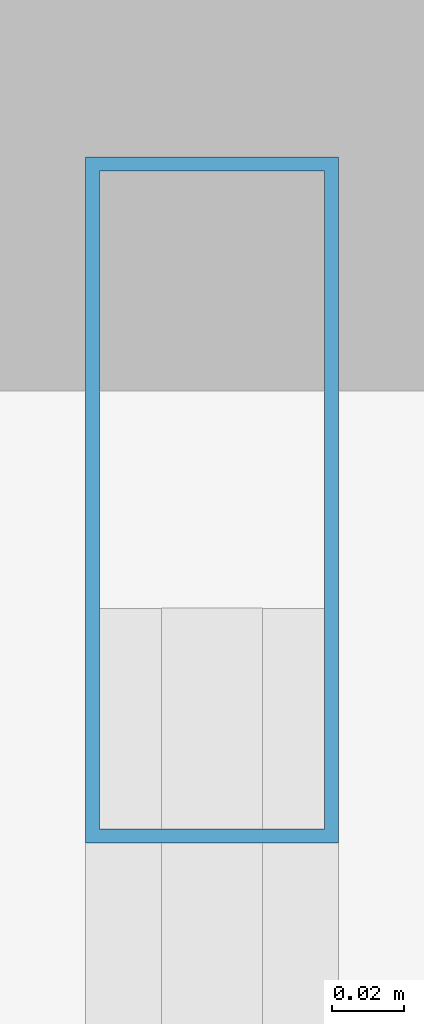
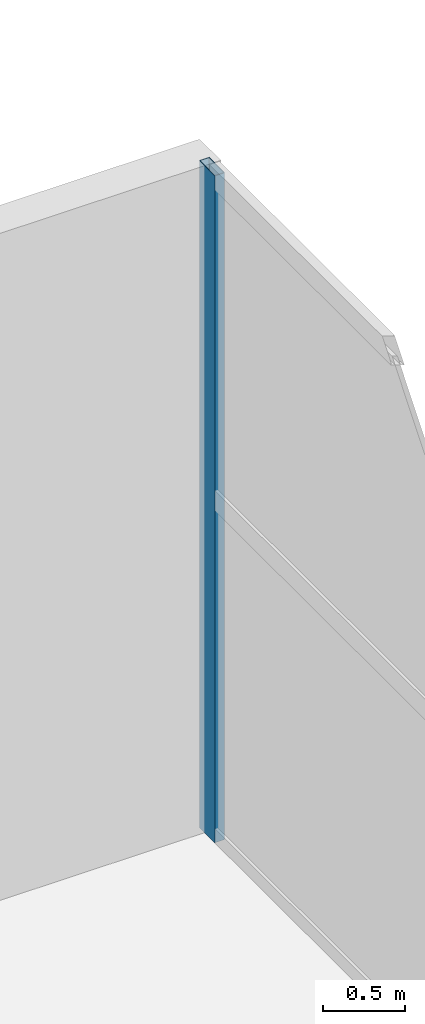
# One storey, part 11 of 19: 1 member, 1 element without a shape of its own.
"""IFC4 building model written with IfcOpenShell, lengths in metres."""

import ifcopenshell
import ifcopenshell.guid

model = None  # the IFC model being written
_history = None  # IfcOwnerHistory: only IFC2X3 demands one
_inside = {}  # id of a spatial element -> (the spatial element, [elements in it])
_under = {}  # id of a project, library or spatial element -> (it, [spatial elements below it])
_declared = {}  # id of a project -> (the project, [libraries it declares])
_typed = {}  # id of a type object -> (the type object, [elements of that type])
_made_of = {}  # id of a material, layer set ... -> (it, [elements and type objects made of it])


def new_model(schema):
    """Start an empty IFC model of exactly this schema.

    Asked for "IFC4X3", IfcOpenShell would pick the latest addendum, in which some entities
    have other attributes; the version numbers below select the first issue.
    IFC2X3 requires an IfcOwnerHistory on every rooted entity: one is made here for all.
    """
    global model, _history
    if schema == "IFC4X3":
        model = ifcopenshell.file(schema_version=(4, 3, 0, 0))
    else:
        model = ifcopenshell.file(schema=schema)
    _inside.clear()
    _under.clear()
    _declared.clear()
    _typed.clear()
    _made_of.clear()
    _history = None
    if model.schema == "IFC2X3":
        org = make("IfcOrganization", Name="unknown")
        user = make(
            "IfcPersonAndOrganization",
            ThePerson=make("IfcPerson", FamilyName="unknown"),
            TheOrganization=org,
        )
        app = make(
            "IfcApplication",
            ApplicationDeveloper=org,
            Version="unknown",
            ApplicationFullName="unknown",
            ApplicationIdentifier="unknown",
        )
        _history = make(
            "IfcOwnerHistory",
            OwningUser=user,
            OwningApplication=app,
            ChangeAction="ADDED",
            CreationDate=0,
        )
    return model


def make(cls, **values):
    """One entity of the class cls with the attributes given. An attribute that is None is left unset."""
    return model.create_entity(
        cls, **{name: value for name, value in values.items() if value is not None}
    )


def rooted(cls, **values):
    """An entity with a GlobalId (a new one), such as an element, a storey or a relation."""
    return make(cls, GlobalId=ifcopenshell.guid.new(), OwnerHistory=_history, **values)


def si_unit(unit_type, name, prefix=None):
    """IfcSIUnit, for example si_unit("LENGTHUNIT", "METRE", prefix="MILLI")."""
    return make("IfcSIUnit", UnitType=unit_type, Prefix=prefix, Name=name)


def assignment(units):
    """IfcUnitAssignment: the units of a project."""
    return None if units is None else make("IfcUnitAssignment", Units=units)


def point(xyz):
    """IfcCartesianPoint."""
    return None if xyz is None else make("IfcCartesianPoint", Coordinates=xyz)


def direction(xyz):
    """IfcDirection."""
    return None if xyz is None else make("IfcDirection", DirectionRatios=xyz)


def frame(location, z_axis=None, x_axis=None):
    """IfcAxis2Placement3D, a coordinate frame: its origin and axes. An axis left out is left unset."""
    return make(
        "IfcAxis2Placement3D",
        Location=point(location),
        Axis=direction(z_axis),
        RefDirection=direction(x_axis),
    )


def frame_2d(location, x_axis=None):
    """IfcAxis2Placement2D, a coordinate frame in the plane: its origin and x axis."""
    return make(
        "IfcAxis2Placement2D", Location=point(location), RefDirection=direction(x_axis)
    )


def origin():
    """The frame at (0, 0, 0) with its axes left unset."""
    return frame((0.0, 0.0, 0.0))


def origin_2d():
    """The frame at (0, 0) in the plane with its x axis left unset."""
    return frame_2d((0.0, 0.0))


def place(relative_to, where):
    """IfcLocalPlacement: puts the frame where relative to a parent placement (None: the world)."""
    return make(
        "IfcLocalPlacement", PlacementRelTo=relative_to, RelativePlacement=where
    )


def context(
    kind, dimensions, precision=None, world=None, true_north=None, identifier=None
):
    """IfcGeometricRepresentationContext, for example the 3D "Model" context."""
    return make(
        "IfcGeometricRepresentationContext",
        ContextIdentifier=identifier,
        ContextType=kind,
        CoordinateSpaceDimension=dimensions,
        Precision=precision,
        WorldCoordinateSystem=world,
        TrueNorth=true_north,
    )


def subcontext(parent, identifier, kind, view, scale=None):
    """IfcGeometricRepresentationSubContext, for example "Body" below "Model"."""
    return make(
        "IfcGeometricRepresentationSubContext",
        ContextIdentifier=identifier,
        ContextType=kind,
        ParentContext=parent,
        TargetScale=scale,
        TargetView=view,
    )


def project(units=None, contexts=None):
    """IfcProject with its units and contexts."""
    return rooted(
        "IfcProject",
        Name="project",
        RepresentationContexts=contexts,
        UnitsInContext=assignment(units),
    )


def spatial(cls, under=None, at=None, **own):
    """A site, building, storey or space (cls), placed at a placement, below another one or the project."""
    s = rooted(cls, ObjectPlacement=at, **own)
    if under is not None:
        _under.setdefault(under.id(), (under, []))[1].append(s)
    return s


def profile(cls, at=None, kind="AREA", **sizes):
    """A parametric profile (cls). Its sizes go by their IFC names, for example OverallWidth=200.0."""
    return make(cls, ProfileType=kind, Position=at, **sizes)


def hollow_rectangle(**sizes):
    """IfcRectangleHollowProfileDef."""
    return profile("IfcRectangleHollowProfileDef", **sizes)


def extrude(swept, where, along, depth):
    """IfcExtrudedAreaSolid: the profile swept, set in the frame where, extruded along a direction by depth."""
    return make(
        "IfcExtrudedAreaSolid",
        SweptArea=swept,
        Position=where,
        ExtrudedDirection=direction(along),
        Depth=depth,
    )


def shape(context_of_items, identifier, shape_type, items):
    """IfcShapeRepresentation: the items that make up one representation, for example the "Body"."""
    return make(
        "IfcShapeRepresentation",
        ContextOfItems=context_of_items,
        RepresentationIdentifier=identifier,
        RepresentationType=shape_type,
        Items=items,
    )


def material(Name=None, Category=None):
    """IfcMaterial."""
    return make("IfcMaterial", Name=Name, Category=Category)


def layer(
    of_material, thickness, ventilated=None, Name=None, Category=None, Priority=None
):
    """IfcMaterialLayer: one layer of a wall or slab, of a material (None: an air gap)."""
    return make(
        "IfcMaterialLayer",
        Material=of_material,
        LayerThickness=thickness,
        IsVentilated=ventilated,
        Name=Name,
        Category=Category,
        Priority=Priority,
    )


def layer_set(layers, Name=None):
    """IfcMaterialLayerSet."""
    return make("IfcMaterialLayerSet", MaterialLayers=layers, LayerSetName=Name)


def material_profile(
    of_material, cross_section, Name=None, Category=None, Priority=None
):
    """IfcMaterialProfile: a cross section and its material."""
    return make(
        "IfcMaterialProfile",
        Name=Name,
        Material=of_material,
        Profile=cross_section,
        Priority=Priority,
        Category=Category,
    )


def profile_set(profiles, Name=None, composite=None):
    """IfcMaterialProfileSet."""
    return make(
        "IfcMaterialProfileSet",
        Name=Name,
        MaterialProfiles=profiles,
        CompositeProfile=composite,
    )


def made_of(thing, what):
    """Note that an element or type object is made of a material, layer set ...; save() writes the relation."""
    if what is not None:
        _made_of.setdefault(what.id(), (what, []))[1].append(thing)
    return thing


def type_object(cls, material=None, **own):
    """A type object (cls), such as IfcWallType, which elements share."""
    return made_of(rooted(cls, **own), material)


def element(
    cls,
    number,
    at=None,
    inside=None,
    cuts=None,
    type_object=None,
    material=None,
    context=None,
    identifier="Body",
    shape_type=None,
    held_by="IfcProductDefinitionShape",
    body=None,
    shapes=None,
    **own,
):
    """One element of the class cls, such as IfcWall. Its Tag is "e" and its number.

    at: its placement. inside: the storey or other place that contains it. cuts: it is an
    opening in that element (IfcRelVoidsElement). A single representation is given by context,
    identifier, shape_type and body (its items); several are given by shapes. held_by: the class
    of the entity that holds the representations. save() writes the other relations.
    """
    e = rooted(cls, Tag="e%d" % number, ObjectPlacement=at, **own)
    if body is not None:
        shapes = [shape(context, identifier, shape_type, body)]
    if shapes is not None:
        e.Representation = make(held_by, Representations=shapes)
    if inside is not None:
        _inside.setdefault(inside.id(), (inside, []))[1].append(e)
    if cuts is not None:
        rooted(
            "IfcRelVoidsElement", RelatingBuildingElement=cuts, RelatedOpeningElement=e
        )
    if type_object is not None:
        _typed.setdefault(type_object.id(), (type_object, []))[1].append(e)
    return made_of(e, material)


def aggregate(whole, parts):
    """IfcRelAggregates: a whole, such as a stair, and the parts it consists of."""
    return rooted("IfcRelAggregates", RelatingObject=whole, RelatedObjects=parts)


def save(model, path):
    """Write the relations noted so far, then the file.

    IfcRelAggregates (storeys below a building ...), IfcRelContainedInSpatialStructure (elements
    in a storey), IfcRelDefinesByType, IfcRelAssociatesMaterial and IfcRelDeclares: one each for
    every whole, place, type object, material and project.
    """
    for whole, parts in _under.values():
        aggregate(whole, parts)
    for where, things in _inside.values():
        rooted(
            "IfcRelContainedInSpatialStructure",
            RelatedElements=things,
            RelatingStructure=where,
        )
    for kind, things in _typed.values():
        rooted("IfcRelDefinesByType", RelatedObjects=things, RelatingType=kind)
    for what, things in _made_of.values():
        rooted("IfcRelAssociatesMaterial", RelatedObjects=things, RelatingMaterial=what)
    for by, libraries in _declared.values():
        rooted("IfcRelDeclares", RelatingContext=by, RelatedDefinitions=libraries)
    model.write(path)


model = new_model("IFC4")

# Units and contexts
model_context = context("Model", 3, precision=1e-05, world=origin(), true_north=direction((0.0, 1.0)))
body_context = subcontext(model_context, "Body", "Model", "MODEL_VIEW")
ifc_project = project(units=[si_unit("LENGTHUNIT", "METRE"), si_unit("AREAUNIT", "SQUARE_METRE"), si_unit("VOLUMEUNIT", "CUBIC_METRE"), si_unit("PLANEANGLEUNIT", "RADIAN"), si_unit("MASSUNIT", "GRAM", prefix="KILO")], contexts=[model_context])

# Site, building, storey
site_placement = place(None, origin())
site = spatial("IfcSite", under=ifc_project, at=site_placement, CompositionType="ELEMENT")
building_placement = place(site_placement, origin())
building = spatial("IfcBuilding", under=site, at=building_placement, Name="Maruvema Waterfront Hotel and Observation Tower", CompositionType="ELEMENT")
storey_placement = place(building_placement, frame((0.0, 0.0, 359.10009765625)))
storey = spatial("IfcBuildingStorey", under=building, at=storey_placement, Name="L88", CompositionType="ELEMENT", Elevation=359.10009765625)

# Curtain wall, member
ifc_material_1 = material(Name="Anodised bronze aluminium and solar-control low-E IGU", Category="aluminium")
ifc_layer = layer(ifc_material_1, 0.159912109375, Name="Observation Crown Structural Glazed Curtain Wall System CW-06")
ifc_layer_set = layer_set([ifc_layer], Name="Anodised bronze aluminium and solar-control low-E IGU")
curtain_wall_type = type_object("IfcCurtainWallType", Name="Observation Crown Structural Glazed Curtain Wall System CW-06", PredefinedType="USERDEFINED", material=ifc_layer_set)
curtain_wall_placement = place(storey_placement, origin())
curtain_wall = element("IfcCurtainWall", 1, at=curtain_wall_placement, inside=storey, type_object=curtain_wall_type, Name="L88 Curtain Wall CW-L88-E", ObjectType="UNITISED CURTAIN WALL", PredefinedType="USERDEFINED")
ifc_material_2 = material(Name="Anodised architectural bronze aluminium", Category="aluminium")
ifc_material_profile = material_profile(ifc_material_2, hollow_rectangle(XDim=0.070068359375, YDim=0.18994140625, WallThickness=0.00390625, at=origin_2d()), Name="ALU-M70x190")
ifc_profile_set = profile_set([ifc_material_profile], Name="Anodised architectural bronze aluminium")
member_type = type_object("IfcMemberType", Name="Podium Storefront Heavy Mullion ALU-M70x190", PredefinedType="MULLION", material=ifc_profile_set)
member_placement = place(storey_placement, frame((54.419921875, 50.169921875, 0.0), z_axis=(0.0, 0.0, 1.0), x_axis=(-1.0, 0.0, 0.0)))
member = element("IfcMember", 2, at=member_placement, type_object=member_type, Name="CW-06 mullion 6", PredefinedType="MULLION", context=body_context, shape_type="SweptSolid", body=[
    extrude(hollow_rectangle(XDim=0.070068359375, YDim=0.18994140625, WallThickness=0.00390625, at=origin_2d()), origin(), (0.0, 0.0, 1.0), 4.969970703125),
])
aggregate(curtain_wall, [member])

save(model, "model.ifc")
